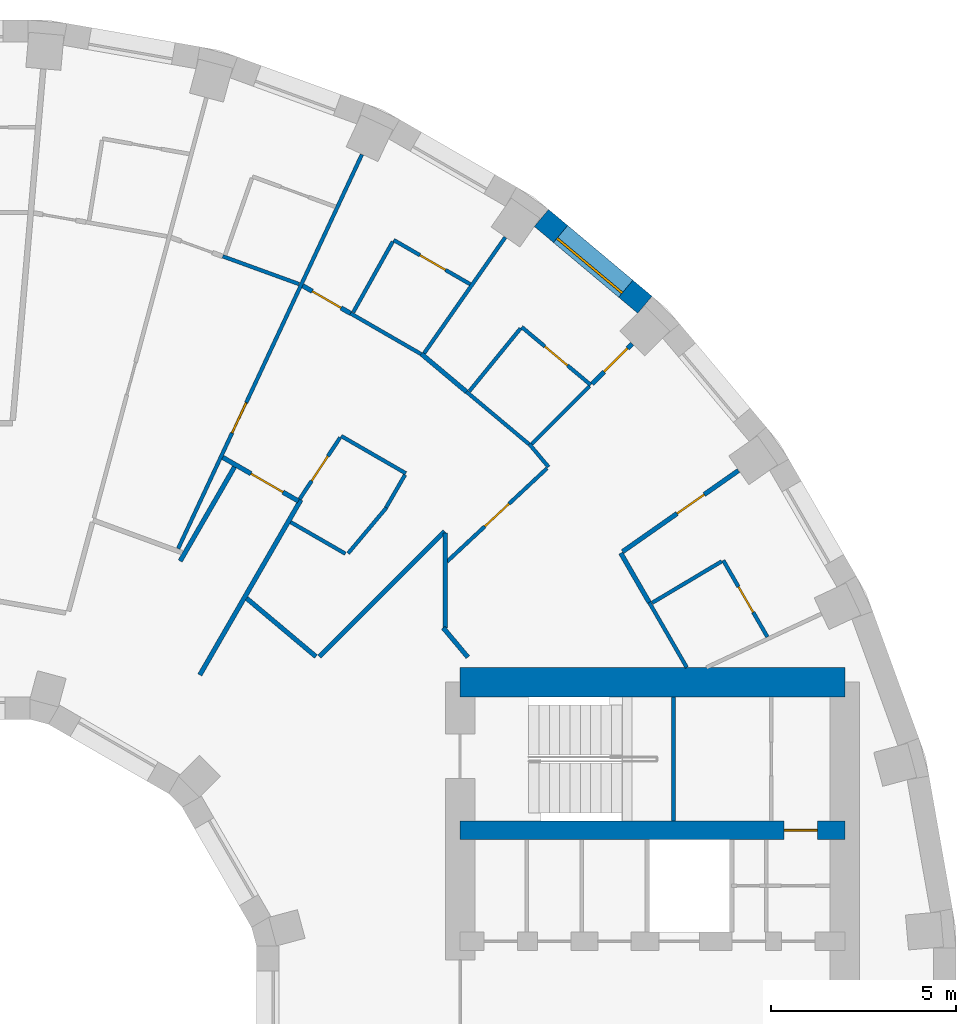
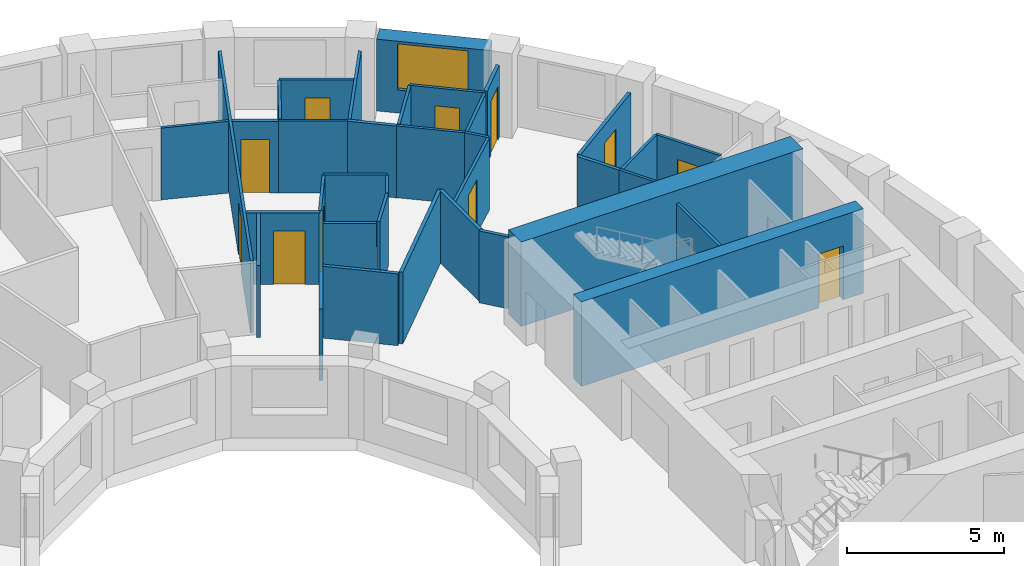
# One storey, part 13 of 16: 36 walls, 11 doors, 1 window, 12 openings.
"""IFC4 building model written with IfcOpenShell, lengths in metres."""

from ifc_helpers import new_model, si_unit, direction, frame, frame_2d, origin, place, context, subcontext, project, spatial, rectangle, extrude, material, layer, layer_set, type_object, element, fill, save


model = new_model("IFC4")

# Units and contexts
model_context = context("Model", 3, precision=1e-05, world=origin(), true_north=direction((0.0, 1.0)))
body_context = subcontext(model_context, "Body", "Model", "MODEL_VIEW")
ifc_project = project(units=[si_unit("LENGTHUNIT", "METRE"), si_unit("AREAUNIT", "SQUARE_METRE"), si_unit("VOLUMEUNIT", "CUBIC_METRE"), si_unit("PLANEANGLEUNIT", "RADIAN"), si_unit("MASSUNIT", "GRAM", prefix="KILO")], contexts=[model_context])

# Site, building, storey
site_placement = place(None, origin())
site = spatial("IfcSite", under=ifc_project, at=site_placement, CompositionType="ELEMENT")
building_placement = place(site_placement, origin())
building = spatial("IfcBuilding", under=site, at=building_placement, Name="Saqina Gate Tower", CompositionType="ELEMENT")
storey_placement = place(building_placement, frame((0.0, 0.0, 128.199951171875)))
storey = spatial("IfcBuildingStorey", under=building, at=storey_placement, Name="L36", CompositionType="ELEMENT", Elevation=128.199951171875)

# Wall, opening, window
ifc_material_1 = material(Name="Brick masonry (buff)", Category="masonry")
ifc_layer_1 = layer(ifc_material_1, 0.60009765625)
ifc_layer_set_1 = layer_set([ifc_layer_1], Name="FW-BRICK-BUFF")
wall_type_1 = type_object("IfcWallType", Name="FW-BRICK-BUFF", PredefinedType="SOLIDWALL", material=ifc_layer_set_1)
wall_1_placement = place(storey_placement, frame((18.49365234375, 19.202392578125, 0.0), z_axis=(0.0, 0.0, 1.0), x_axis=(-0.766055462616, 0.642774476932, 0.0)))
wall_1 = element("IfcWall", 1, at=wall_1_placement, inside=storey, type_object=wall_type_1, Name="Facade wall L36 facet 5", PredefinedType="SOLIDWALL", context=body_context, shape_type="SweptSolid", body=[
    extrude(rectangle(XDim=3.647705078125, YDim=0.60009765625, at=frame_2d((1.82373046875, 0.0))), origin(), (0.0, 0.0, 1.0), 2.800048828125),
])
opening_1_placement = place(wall_1_placement, frame((0.673828125, 0.0, 0.89990234375)))
opening_1 = element("IfcOpeningElement", 2, at=opening_1_placement, cuts=wall_1, Name="Opening G10-W03", PredefinedType="OPENING", context=body_context, shape_type="SweptSolid", body=[
    extrude(rectangle(XDim=2.300048828125, YDim=1.800048828125, at=frame_2d((1.14990234375, 0.89990234375))), frame((0.0, 0.31201171875, 0.0), z_axis=(0.0, -1.0, 0.0), x_axis=(1.0, 0.0, 0.0)), (0.0, 0.0, 1.0), 0.6240234375),
])
ifc_material_2 = material(Name="Aluminium glazing", Category="aluminium")
window_type = type_object("IfcWindowType", Name="WN-B", PartitioningType="SINGLE_PANEL", PredefinedType="WINDOW", material=ifc_material_2)
window_placement = place(opening_1_placement, origin())
window = element("IfcWindow", 3, at=window_placement, inside=storey, type_object=window_type, Name="Window L36 facet 5", OverallHeight=1.800048828125, OverallWidth=2.300048828125, PartitioningType="SINGLE_PANEL", PredefinedType="WINDOW", context=body_context, shape_type="SweptSolid", body=[
    extrude(rectangle(XDim=2.300048828125, YDim=1.800048828125, at=frame_2d((1.14990234375, 0.89990234375))), frame((0.0, 0.179931640625, 0.0), z_axis=(0.0, -1.0, 0.0), x_axis=(1.0, 0.0, 0.0)), (0.0, 0.0, 1.0), 0.06005859375),
])
fill(opening_1, window)

# Wall
ifc_material_3 = material(Name="Gypsum board on steel studs, 100 mm", Category="steel")
ifc_layer_2 = layer(ifc_material_3, 0.10009765625)
ifc_layer_set_2 = layer_set([ifc_layer_2], Name="PARTITION 100")
wall_type_2 = type_object("IfcWallType", Name="PARTITION 100", PredefinedType="PARTITIONING", material=ifc_layer_set_2)
wall_2_placement = place(storey_placement, frame((18.612060546875, 11.1572265625, 0.0), z_axis=(0.0, 0.0, 1.0), x_axis=(0.500111227227, -0.865961177191, 0.0)))
element("IfcWall", 4, at=wall_2_placement, inside=storey, type_object=wall_type_2, Name="PARTITION PW3-15", PredefinedType="PARTITIONING", context=body_context, shape_type="SweptSolid", body=[
    extrude(rectangle(XDim=2.029296875, YDim=0.10009765625, at=frame_2d((1.0146484375, 0.0))), origin(), (0.0, 0.0, 1.0), 2.800048828125),
])

# Wall, opening, door
wall_3_placement = place(storey_placement, frame((20.613037109375, 12.2919921875, 0.0), z_axis=(0.0, 0.0, 1.0), x_axis=(0.499855185972, -0.866108996061, 0.0)))
wall_3 = element("IfcWall", 5, at=wall_3_placement, inside=storey, type_object=wall_type_2, Name="PARTITION PW3-16", PredefinedType="PARTITIONING", context=body_context, shape_type="SweptSolid", body=[
    extrude(rectangle(XDim=2.388427734375, YDim=0.10009765625, at=frame_2d((1.1943359375, 0.0))), origin(), (0.0, 0.0, 1.0), 2.800048828125),
])
opening_2_placement = place(wall_3_placement, frame((0.8193359375, 0.0, 0.0)))
opening_2 = element("IfcOpeningElement", 6, at=opening_2_placement, cuts=wall_3, Name="Opening G10-D01", PredefinedType="OPENING", context=body_context, shape_type="SweptSolid", body=[
    extrude(rectangle(XDim=0.800048828125, YDim=2.10009765625, at=frame_2d((0.39990234375, 1.050048828125))), frame((0.0, 0.06201171875, 0.0), z_axis=(0.0, -1.0, 0.0), x_axis=(1.0, 0.0, 0.0)), (0.0, 0.0, 1.0), 0.1240234375),
])
ifc_material_4 = material(Name="Timber door leaf, 800 mm", Category="wood")
door_type_1 = type_object("IfcDoorType", Name="DOOR 800 TIMBER", OperationType="SINGLE_SWING_LEFT", PredefinedType="DOOR", material=ifc_material_4)
door_1_placement = place(opening_2_placement, origin())
door_1 = element("IfcDoor", 7, at=door_1_placement, inside=storey, type_object=door_type_1, Name="DOOR G10-D01", OperationType="SINGLE_SWING_RIGHT", OverallHeight=2.10009765625, OverallWidth=0.800048828125, PredefinedType="DOOR", context=body_context, shape_type="SweptSolid", body=[
    extrude(rectangle(XDim=0.800048828125, YDim=2.10009765625, at=frame_2d((0.39990234375, 1.050048828125))), frame((0.0, 0.02490234375, 0.0), z_axis=(0.0, -1.0, 0.0), x_axis=(1.0, 0.0, 0.0)), (0.0, 0.0, 1.0), 0.050048828125),
])
fill(opening_2, door_1)

# Walls
wall_4_placement = place(storey_placement, frame((15.368408203125, 15.43994140625, 0.0), z_axis=(0.0, 0.0, 1.0), x_axis=(0.643079214365, -0.765799663131, 0.0)))
element("IfcWall", 8, at=wall_4_placement, inside=storey, type_object=wall_type_2, Name="PARTITION PW3-22", PredefinedType="PARTITIONING", context=body_context, shape_type="SweptSolid", body=[
    extrude(rectangle(XDim=0.811767578125, YDim=0.10009765625, at=frame_2d((0.40576171875, 0.0))), origin(), (0.0, 0.0, 1.0), 2.800048828125),
])
wall_5_placement = place(storey_placement, frame((13.673583984375, 16.85009765625, 0.0), z_axis=(0.0, 0.0, 1.0), x_axis=(0.766138779905, -0.642675166725, 0.0)))
element("IfcWall", 9, at=wall_5_placement, inside=storey, type_object=wall_type_2, Name="PARTITION PW3-29", PredefinedType="PARTITIONING", context=body_context, shape_type="SweptSolid", body=[
    extrude(rectangle(XDim=2.204833984375, YDim=0.10009765625, at=frame_2d((1.1025390625, 0.0))), origin(), (0.0, 0.0, 1.0), 2.800048828125),
])

# Wall, opening, door
wall_6_placement = place(storey_placement, frame((15.1650390625, 18.60107421875, 0.0), z_axis=(0.0, 0.0, 1.0), x_axis=(0.765894146118, -0.642966684161, 0.0)))
wall_6 = element("IfcWall", 10, at=wall_6_placement, inside=storey, type_object=wall_type_2, Name="PARTITION PW3-30", PredefinedType="PARTITIONING", context=body_context, shape_type="SweptSolid", body=[
    extrude(rectangle(XDim=2.43896484375, YDim=0.10009765625, at=frame_2d((1.219482421875, 0.0))), origin(), (0.0, 0.0, 1.0), 2.800048828125),
])
opening_3_placement = place(wall_6_placement, frame((0.8193359375, 0.0, 0.0)))
opening_3 = element("IfcOpeningElement", 11, at=opening_3_placement, cuts=wall_6, Name="Opening G10-D05", PredefinedType="OPENING", context=body_context, shape_type="SweptSolid", body=[
    extrude(rectangle(XDim=0.800048828125, YDim=2.10009765625, at=frame_2d((0.39990234375, 1.050048828125))), frame((0.0, 0.06201171875, 0.0), z_axis=(0.0, -1.0, 0.0), x_axis=(1.0, 0.0, 0.0)), (0.0, 0.0, 1.0), 0.1240234375),
])
door_2_placement = place(opening_3_placement, origin())
door_2 = element("IfcDoor", 12, at=door_2_placement, inside=storey, type_object=door_type_1, Name="DOOR G10-D05", OperationType="SINGLE_SWING_LEFT", OverallHeight=2.10009765625, OverallWidth=0.800048828125, PredefinedType="DOOR", context=body_context, shape_type="SweptSolid", body=[
    extrude(rectangle(XDim=0.800048828125, YDim=2.10009765625, at=frame_2d((0.39990234375, 1.050048828125))), frame((0.0, 0.02490234375, 0.0), z_axis=(0.0, -1.0, 0.0), x_axis=(1.0, 0.0, 0.0)), (0.0, 0.0, 1.0), 0.050048828125),
])
fill(opening_3, door_2)

# Walls
wall_7_placement = place(storey_placement, frame((8.921142578125, 13.32666015625, 0.0), z_axis=(0.0, 0.0, 1.0), x_axis=(0.866168931404, -0.499751320429, 0.0)))
element("IfcWall", 13, at=wall_7_placement, inside=storey, type_object=wall_type_2, Name="PARTITION PW3-35", PredefinedType="PARTITIONING", context=body_context, shape_type="SweptSolid", body=[
    extrude(rectangle(XDim=1.708251953125, YDim=0.10009765625, at=frame_2d((0.85400390625, 0.0))), origin(), (0.0, 0.0, 1.0), 2.800048828125),
])
wall_8_placement = place(storey_placement, frame((10.285888671875, 15.655029296875, 0.0), z_axis=(0.0, 0.0, 1.0), x_axis=(0.865980246016, -0.500078207394, 0.0)))
element("IfcWall", 14, at=wall_8_placement, inside=storey, type_object=wall_type_2, Name="PARTITION PW3-36", PredefinedType="PARTITIONING", context=body_context, shape_type="SweptSolid", body=[
    extrude(rectangle(XDim=2.019775390625, YDim=0.10009765625, at=frame_2d((1.009765625, 0.0))), origin(), (0.0, 0.0, 1.0), 2.800048828125),
])
wall_9_placement = place(storey_placement, frame((10.539794921875, 18.968994140625, 0.0), z_axis=(0.0, 0.0, 1.0), x_axis=(0.866006764117, -0.500032283461, 0.0)))
element("IfcWall", 15, at=wall_9_placement, inside=storey, type_object=wall_type_2, Name="PARTITION PW3-37", PredefinedType="PARTITIONING", context=body_context, shape_type="SweptSolid", body=[
    extrude(rectangle(XDim=2.205322265625, YDim=0.10009765625, at=frame_2d((1.1025390625, 0.0))), origin(), (0.0, 0.0, 1.0), 2.800048828125),
])

# Wall, opening, door
wall_10_placement = place(storey_placement, frame((11.705078125, 20.951904296875, 0.0), z_axis=(0.0, 0.0, 1.0), x_axis=(0.865906392454, -0.500206077039, 0.0)))
wall_10 = element("IfcWall", 16, at=wall_10_placement, inside=storey, type_object=wall_type_2, Name="PARTITION PW3-38", PredefinedType="PARTITIONING", context=body_context, shape_type="SweptSolid", body=[
    extrude(rectangle(XDim=2.388671875, YDim=0.10009765625, at=frame_2d((1.1943359375, 0.0))), origin(), (0.0, 0.0, 1.0), 2.800048828125),
])
opening_4_placement = place(wall_10_placement, frame((0.819580078125, 0.0, 0.0)))
opening_4 = element("IfcOpeningElement", 17, at=opening_4_placement, cuts=wall_10, Name="Opening G10-D07", PredefinedType="OPENING", context=body_context, shape_type="SweptSolid", body=[
    extrude(rectangle(XDim=0.800048828125, YDim=2.10009765625, at=frame_2d((0.39990234375, 1.050048828125))), frame((0.0, 0.06201171875, 0.0), z_axis=(0.0, -1.0, 0.0), x_axis=(1.0, 0.0, 0.0)), (0.0, 0.0, 1.0), 0.1240234375),
])
door_3_placement = place(opening_4_placement, origin())
door_3 = element("IfcDoor", 18, at=door_3_placement, inside=storey, type_object=door_type_1, Name="DOOR G10-D07", OperationType="SINGLE_SWING_RIGHT", OverallHeight=2.10009765625, OverallWidth=0.800048828125, PredefinedType="DOOR", context=body_context, shape_type="SweptSolid", body=[
    extrude(rectangle(XDim=0.800048828125, YDim=2.10009765625, at=frame_2d((0.39990234375, 1.050048828125))), frame((0.0, 0.02490234375, 0.0), z_axis=(0.0, -1.0, 0.0), x_axis=(1.0, 0.0, 0.0)), (0.0, 0.0, 1.0), 0.050048828125),
])
fill(opening_4, door_3)

# Walls
wall_11_placement = place(storey_placement, frame((7.0859375, 20.510498046875, 0.0), z_axis=(0.0, 0.0, 1.0), x_axis=(0.939734879809, -0.341904015289, 0.0)))
element("IfcWall", 19, at=wall_11_placement, inside=storey, type_object=wall_type_2, Name="PARTITION PW3-43", PredefinedType="PARTITIONING", context=body_context, shape_type="SweptSolid", body=[
    extrude(rectangle(XDim=2.192138671875, YDim=0.10009765625, at=frame_2d((1.09619140625, 0.0))), origin(), (0.0, 0.0, 1.0), 2.800048828125),
])
wall_12_placement = place(storey_placement, frame((18.690673828125, 11.14599609375, 0.0), z_axis=(0.0, 0.0, 1.0), x_axis=(0.858956412084, 0.512048710711, 0.0)))
element("IfcWall", 20, at=wall_12_placement, inside=storey, type_object=wall_type_2, Name="PARTITION PW3-75", PredefinedType="PARTITIONING", context=body_context, shape_type="SweptSolid", body=[
    extrude(rectangle(XDim=2.18798828125, YDim=0.10009765625, at=frame_2d((1.093994140625, 0.0))), origin(), (0.0, 0.0, 1.0), 2.800048828125),
])

# Wall, opening, door
wall_13_placement = place(storey_placement, frame((13.145751953125, 12.258544921875, 0.0), z_axis=(0.0, 0.0, 1.0), x_axis=(0.731186864942, 0.682177226633, 0.0)))
wall_13 = element("IfcWall", 21, at=wall_13_placement, inside=storey, type_object=wall_type_2, Name="PARTITION PW3-81", PredefinedType="PARTITIONING", context=body_context, shape_type="SweptSolid", body=[
    extrude(rectangle(XDim=3.701171875, YDim=0.10009765625, at=frame_2d((1.8505859375, 0.0))), origin(), (0.0, 0.0, 1.0), 2.800048828125),
])
opening_5_placement = place(wall_13_placement, frame((1.393798828125, 0.0, 0.0)))
opening_5 = element("IfcOpeningElement", 22, at=opening_5_placement, cuts=wall_13, Name="Opening G10-D03", PredefinedType="OPENING", context=body_context, shape_type="SweptSolid", body=[
    extrude(rectangle(XDim=0.89990234375, YDim=2.10009765625, at=frame_2d((0.449951171875, 1.050048828125))), frame((0.0, 0.06201171875, 0.0), z_axis=(0.0, -1.0, 0.0), x_axis=(1.0, 0.0, 0.0)), (0.0, 0.0, 1.0), 0.1240234375),
])
ifc_material_5 = material(Name="Timber door leaf, 900 mm", Category="wood")
door_type_2 = type_object("IfcDoorType", Name="DOOR 900 TIMBER", OperationType="SINGLE_SWING_LEFT", PredefinedType="DOOR", material=ifc_material_5)
door_4_placement = place(opening_5_placement, frame((0.89990234375, 0.0, 0.0), z_axis=(0.0, 0.0, 1.0), x_axis=(-1.0, 0.0, 0.0)))
door_4 = element("IfcDoor", 23, at=door_4_placement, inside=storey, type_object=door_type_2, Name="DOOR G10-D03", OperationType="SINGLE_SWING_RIGHT", OverallHeight=2.10009765625, OverallWidth=0.89990234375, PredefinedType="DOOR", context=body_context, shape_type="SweptSolid", body=[
    extrude(rectangle(XDim=0.89990234375, YDim=2.10009765625, at=frame_2d((0.449951171875, 1.050048828125))), frame((0.0, 0.02490234375, 0.0), z_axis=(0.0, -1.0, 0.0), x_axis=(1.0, 0.0, 0.0)), (0.0, 0.0, 1.0), 0.050048828125),
])
fill(opening_5, door_4)

# Walls
wall_14_placement = place(storey_placement, frame((15.436279296875, 15.436279296875, 0.0), z_axis=(0.0, 0.0, 1.0), x_axis=(0.707106781187, 0.707106781187, 0.0)))
element("IfcWall", 24, at=wall_14_placement, inside=storey, type_object=wall_type_2, Name="PARTITION PW3-83", PredefinedType="PARTITIONING", context=body_context, shape_type="SweptSolid", body=[
    extrude(rectangle(XDim=2.2080078125, YDim=0.10009765625, at=frame_2d((1.10400390625, 0.0))), origin(), (0.0, 0.0, 1.0), 2.800048828125),
])
wall_15_placement = place(storey_placement, frame((10.47509765625, 12.484375, 0.0), z_axis=(0.0, 0.0, 1.0), x_axis=(0.642782067074, 0.766049093889, 0.0)))
element("IfcWall", 25, at=wall_15_placement, inside=storey, type_object=wall_type_2, Name="PARTITION PW3-86", PredefinedType="PARTITIONING", context=body_context, shape_type="SweptSolid", body=[
    extrude(rectangle(XDim=1.606201171875, YDim=0.10009765625, at=frame_2d((0.80322265625, 0.0))), origin(), (0.0, 0.0, 1.0), 2.800048828125),
])
wall_16_placement = place(storey_placement, frame((13.75146484375, 16.866455078125, 0.0), z_axis=(0.0, 0.0, 1.0), x_axis=(0.631692824826, 0.775218791738, 0.0)))
element("IfcWall", 26, at=wall_16_placement, inside=storey, type_object=wall_type_2, Name="PARTITION PW3-88", PredefinedType="PARTITIONING", context=body_context, shape_type="SweptSolid", body=[
    extrude(rectangle(XDim=2.1875, YDim=0.10009765625, at=frame_2d((1.09375, 0.0))), origin(), (0.0, 0.0, 1.0), 2.800048828125),
])
wall_17_placement = place(storey_placement, frame((12.529541015625, 17.8916015625, 0.0), z_axis=(0.0, 0.0, 1.0), x_axis=(0.573235132975, 0.819390921553, 0.0)))
element("IfcWall", 27, at=wall_17_placement, inside=storey, type_object=wall_type_2, Name="PARTITION PW3-89", PredefinedType="PARTITIONING", context=body_context, shape_type="SweptSolid", body=[
    extrude(rectangle(XDim=3.822509765625, YDim=0.10009765625, at=frame_2d((1.9111328125, 0.0))), origin(), (0.0, 0.0, 1.0), 2.800048828125),
])

# Wall, opening, door
wall_18_placement = place(storey_placement, frame((9.16455078125, 13.94970703125, 0.0), z_axis=(0.0, 0.0, 1.0), x_axis=(0.549454342873, 0.835523742989, 0.0)))
wall_18 = element("IfcWall", 28, at=wall_18_placement, inside=storey, type_object=wall_type_2, Name="PARTITION PW3-91", PredefinedType="PARTITIONING", context=body_context, shape_type="SweptSolid", body=[
    extrude(rectangle(XDim=1.990966796875, YDim=0.10009765625, at=frame_2d((0.99560546875, 0.0))), origin(), (0.0, 0.0, 1.0), 2.800048828125),
])
opening_6_placement = place(wall_18_placement, frame((0.589111328125, 0.0, 0.0)))
opening_6 = element("IfcOpeningElement", 29, at=opening_6_placement, cuts=wall_18, Name="Opening G10-D06", PredefinedType="OPENING", context=body_context, shape_type="SweptSolid", body=[
    extrude(rectangle(XDim=0.800048828125, YDim=2.10009765625, at=frame_2d((0.39990234375, 1.050048828125))), frame((0.0, 0.06201171875, 0.0), z_axis=(0.0, -1.0, 0.0), x_axis=(1.0, 0.0, 0.0)), (0.0, 0.0, 1.0), 0.1240234375),
])
door_5_placement = place(opening_6_placement, origin())
door_5 = element("IfcDoor", 30, at=door_5_placement, inside=storey, type_object=door_type_1, Name="DOOR G10-D06", OperationType="SINGLE_SWING_LEFT", OverallHeight=2.10009765625, OverallWidth=0.800048828125, PredefinedType="DOOR", context=body_context, shape_type="SweptSolid", body=[
    extrude(rectangle(XDim=0.800048828125, YDim=2.10009765625, at=frame_2d((0.39990234375, 1.050048828125))), frame((0.0, 0.02490234375, 0.0), z_axis=(0.0, -1.0, 0.0), x_axis=(1.0, 0.0, 0.0)), (0.0, 0.0, 1.0), 0.050048828125),
])
fill(opening_6, door_5)

# Walls
wall_19_placement = place(storey_placement, frame((11.5, 13.71923828125, 0.0), z_axis=(0.0, 0.0, 1.0), x_axis=(0.500337452138, 0.865830488022, 0.0)))
element("IfcWall", 31, at=wall_19_placement, inside=storey, type_object=wall_type_2, Name="PARTITION PW3-92", PredefinedType="PARTITIONING", context=body_context, shape_type="SweptSolid", body=[
    extrude(rectangle(XDim=1.019287109375, YDim=0.10009765625, at=frame_2d((0.509765625, 0.0))), origin(), (0.0, 0.0, 1.0), 2.800048828125),
])
wall_20_placement = place(storey_placement, frame((10.613525390625, 18.998779296875, 0.0), z_axis=(0.0, 0.0, 1.0), x_axis=(0.487811352464, 0.872949073204, 0.0)))
element("IfcWall", 32, at=wall_20_placement, inside=storey, type_object=wall_type_2, Name="PARTITION PW3-95", PredefinedType="PARTITIONING", context=body_context, shape_type="SweptSolid", body=[
    extrude(rectangle(XDim=2.1875, YDim=0.10009765625, at=frame_2d((1.09375, 0.0))), origin(), (0.0, 0.0, 1.0), 2.800048828125),
])

# Wall, opening, door
wall_21_placement = place(storey_placement, frame((5.880859375, 12.610595703125, 0.0), z_axis=(0.0, 0.0, 1.0), x_axis=(0.422604500324, 0.906314203964, 0.0)))
wall_21 = element("IfcWall", 33, at=wall_21_placement, inside=storey, type_object=wall_type_2, Name="PARTITION PW3-98", PredefinedType="PARTITIONING", context=body_context, shape_type="SweptSolid", body=[
    extrude(rectangle(XDim=11.75048828125, YDim=0.10009765625, at=frame_2d((5.875244140625, 0.0))), origin(), (0.0, 0.0, 1.0), 2.800048828125),
])
opening_7_placement = place(wall_21_placement, frame((3.44970703125, 0.0, 0.0)))
opening_7 = element("IfcOpeningElement", 34, at=opening_7_placement, cuts=wall_21, Name="Opening G10-D10", PredefinedType="OPENING", context=body_context, shape_type="SweptSolid", body=[
    extrude(rectangle(XDim=0.89990234375, YDim=2.10009765625, at=frame_2d((0.449951171875, 1.050048828125))), frame((0.0, 0.06201171875, 0.0), z_axis=(0.0, -1.0, 0.0), x_axis=(1.0, 0.0, 0.0)), (0.0, 0.0, 1.0), 0.1240234375),
])
door_6_placement = place(opening_7_placement, frame((0.89990234375, 0.0, 0.0), z_axis=(0.0, 0.0, 1.0), x_axis=(-1.0, 0.0, 0.0)))
door_6 = element("IfcDoor", 35, at=door_6_placement, inside=storey, type_object=door_type_2, Name="DOOR G10-D10", OperationType="SINGLE_SWING_RIGHT", OverallHeight=2.10009765625, OverallWidth=0.89990234375, PredefinedType="DOOR", context=body_context, shape_type="SweptSolid", body=[
    extrude(rectangle(XDim=0.89990234375, YDim=2.10009765625, at=frame_2d((0.449951171875, 1.050048828125))), frame((0.0, 0.02490234375, 0.0), z_axis=(0.0, -1.0, 0.0), x_axis=(1.0, 0.0, 0.0)), (0.0, 0.0, 1.0), 0.050048828125),
])
fill(opening_7, door_6)

# Walls
ifc_material_6 = material(Name="Gypsum board on steel studs, 125 mm, fire rated", Category="steel")
ifc_layer_3 = layer(ifc_material_6, 0.125)
ifc_layer_set_3 = layer_set([ifc_layer_3], Name="PARTITION EI 30 125")
wall_type_3 = type_object("IfcWallType", Name="PARTITION EI 30 125", PredefinedType="PARTITIONING", material=ifc_layer_set_3)
wall_22_placement = place(storey_placement, frame((17.842041015625, 12.4912109375, 0.0), z_axis=(0.0, 0.0, 1.0), x_axis=(0.499923693419, -0.866069454927, 0.0)))
element("IfcWall", 36, at=wall_22_placement, inside=storey, type_object=wall_type_3, Name="PARTITION PW1-04", PredefinedType="PARTITIONING", context=body_context, shape_type="SweptSolid", body=[
    extrude(rectangle(XDim=1.540283203125, YDim=0.125, at=frame_2d((0.77001953125, 0.0))), origin(), (0.0, 0.0, 1.0), 2.800048828125),
])
wall_23_placement = place(storey_placement, frame((13.045166015625, 10.470458984375, 0.0), z_axis=(0.0, 0.0, 1.0), x_axis=(0.642683640722, -0.766131671417, 0.0)))
element("IfcWall", 37, at=wall_23_placement, inside=storey, type_object=wall_type_3, Name="PARTITION PW1-08", PredefinedType="PARTITIONING", context=body_context, shape_type="SweptSolid", body=[
    extrude(rectangle(XDim=1.036376953125, YDim=0.125, at=frame_2d((0.51806640625, 0.0))), origin(), (0.0, 0.0, 1.0), 2.800048828125),
])
wall_24_placement = place(storey_placement, frame((7.732666015625, 11.2666015625, 0.0), z_axis=(0.0, 0.0, 1.0), x_axis=(0.765785489597, -0.643096092293, 0.0)))
element("IfcWall", 38, at=wall_24_placement, inside=storey, type_object=wall_type_3, Name="PARTITION PW1-12", PredefinedType="PARTITIONING", context=body_context, shape_type="SweptSolid", body=[
    extrude(rectangle(XDim=2.445556640625, YDim=0.125, at=frame_2d((1.22265625, 0.0))), origin(), (0.0, 0.0, 1.0), 2.800048828125),
])
wall_25_placement = place(storey_placement, frame((12.4541015625, 17.87353515625, 0.0), z_axis=(0.0, 0.0, 1.0), x_axis=(0.765991783553, -0.642850361693, 0.0)))
element("IfcWall", 39, at=wall_25_placement, inside=storey, type_object=wall_type_3, Name="PARTITION PW1-13", PredefinedType="PARTITIONING", context=body_context, shape_type="SweptSolid", body=[
    extrude(rectangle(XDim=1.592041015625, YDim=0.125, at=frame_2d((0.7958984375, 0.0))), origin(), (0.0, 0.0, 1.0), 2.800048828125),
])

# Wall, opening, door
wall_26_placement = place(storey_placement, frame((7.0859375, 15.076904296875, 0.0), z_axis=(0.0, 0.0, 1.0), x_axis=(0.866192474201, -0.499710513836, 0.0)))
wall_26 = element("IfcWall", 40, at=wall_26_placement, inside=storey, type_object=wall_type_3, Name="PARTITION PW1-17", PredefinedType="PARTITIONING", context=body_context, shape_type="SweptSolid", body=[
    extrude(rectangle(XDim=2.3603515625, YDim=0.125, at=frame_2d((1.18017578125, 0.0))), origin(), (0.0, 0.0, 1.0), 2.800048828125),
])
opening_8_placement = place(wall_26_placement, frame((0.881103515625, 0.0, 0.0)))
opening_8 = element("IfcOpeningElement", 41, at=opening_8_placement, cuts=wall_26, Name="Opening G10-D08", PredefinedType="OPENING", context=body_context, shape_type="SweptSolid", body=[
    extrude(rectangle(XDim=1.0, YDim=2.10009765625, at=frame_2d((0.5, 1.050048828125))), frame((0.0, 0.074462890625, 0.0), z_axis=(0.0, -1.0, 0.0), x_axis=(1.0, 0.0, 0.0)), (0.0, 0.0, 1.0), 0.14892578125),
])
ifc_material_7 = material(Name="Fire door leaf EI 30, 1000 mm")
door_type_3 = type_object("IfcDoorType", Name="DOOR 1000 EI 30", OperationType="SINGLE_SWING_LEFT", PredefinedType="DOOR", material=ifc_material_7)
door_7_placement = place(opening_8_placement, frame((1.0, 0.0, 0.0), z_axis=(0.0, 0.0, 1.0), x_axis=(-1.0, 0.0, 0.0)))
door_7 = element("IfcDoor", 42, at=door_7_placement, inside=storey, type_object=door_type_3, Name="DOOR G10-D08", OperationType="SINGLE_SWING_LEFT", OverallHeight=2.10009765625, OverallWidth=1.0, PredefinedType="DOOR", context=body_context, shape_type="SweptSolid", body=[
    extrude(rectangle(XDim=1.0, YDim=2.10009765625, at=frame_2d((0.5, 1.050048828125))), frame((0.0, 0.02490234375, 0.0), z_axis=(0.0, -1.0, 0.0), x_axis=(1.0, 0.0, 0.0)), (0.0, 0.0, 1.0), 0.050048828125),
])
fill(opening_8, door_7)

wall_27_placement = place(storey_placement, frame((9.248291015625, 19.715087890625, 0.0), z_axis=(0.0, 0.0, 1.0), x_axis=(0.865896584481, -0.500223055231, 0.0)))
wall_27 = element("IfcWall", 43, at=wall_27_placement, inside=storey, type_object=wall_type_3, Name="PARTITION PW1-18", PredefinedType="PARTITIONING", context=body_context, shape_type="SweptSolid", body=[
    extrude(rectangle(XDim=1.491455078125, YDim=0.125, at=frame_2d((0.74560546875, 0.0))), origin(), (0.0, 0.0, 1.0), 2.800048828125),
])
opening_9_placement = place(wall_27_placement, frame((0.295654296875, 0.0, 0.0)))
opening_9 = element("IfcOpeningElement", 44, at=opening_9_placement, cuts=wall_27, Name="Opening G10-D09", PredefinedType="OPENING", context=body_context, shape_type="SweptSolid", body=[
    extrude(rectangle(XDim=0.89990234375, YDim=2.10009765625, at=frame_2d((0.449951171875, 1.050048828125))), frame((0.0, 0.074462890625, 0.0), z_axis=(0.0, -1.0, 0.0), x_axis=(1.0, 0.0, 0.0)), (0.0, 0.0, 1.0), 0.14892578125),
])
ifc_material_8 = material(Name="Fire door leaf EI 30, 900 mm")
door_type_4 = type_object("IfcDoorType", Name="DOOR 900 EI 30", OperationType="SINGLE_SWING_LEFT", PredefinedType="DOOR", material=ifc_material_8)
door_8_placement = place(opening_9_placement, frame((0.89990234375, 0.0, 0.0), z_axis=(0.0, 0.0, 1.0), x_axis=(-1.0, 0.0, 0.0)))
door_8 = element("IfcDoor", 45, at=door_8_placement, inside=storey, type_object=door_type_4, Name="DOOR G10-D09", OperationType="SINGLE_SWING_RIGHT", OverallHeight=2.10009765625, OverallWidth=0.89990234375, PredefinedType="DOOR", context=body_context, shape_type="SweptSolid", body=[
    extrude(rectangle(XDim=0.89990234375, YDim=2.10009765625, at=frame_2d((0.449951171875, 1.050048828125))), frame((0.0, 0.02490234375, 0.0), z_axis=(0.0, -1.0, 0.0), x_axis=(1.0, 0.0, 0.0)), (0.0, 0.0, 1.0), 0.050048828125),
])
fill(opening_9, door_8)

wall_28_placement = place(storey_placement, frame((17.89208984375, 12.52880859375, 0.0), z_axis=(0.0, 0.0, 1.0), x_axis=(0.819258924995, 0.573423764607, 0.0)))
wall_28 = element("IfcWall", 46, at=wall_28_placement, inside=storey, type_object=wall_type_3, Name="PARTITION PW1-43", PredefinedType="PARTITIONING", context=body_context, shape_type="SweptSolid", body=[
    extrude(rectangle(XDim=3.822509765625, YDim=0.125, at=frame_2d((1.9111328125, 0.0))), origin(), (0.0, 0.0, 1.0), 2.800048828125),
])
opening_10_placement = place(wall_28_placement, frame((1.796142578125, 0.0, 0.0)))
opening_10 = element("IfcOpeningElement", 47, at=opening_10_placement, cuts=wall_28, Name="Opening G10-D02", PredefinedType="OPENING", context=body_context, shape_type="SweptSolid", body=[
    extrude(rectangle(XDim=0.89990234375, YDim=2.10009765625, at=frame_2d((0.449951171875, 1.050048828125))), frame((0.0, 0.074462890625, 0.0), z_axis=(0.0, -1.0, 0.0), x_axis=(1.0, 0.0, 0.0)), (0.0, 0.0, 1.0), 0.14892578125),
])
door_9_placement = place(opening_10_placement, origin())
door_9 = element("IfcDoor", 48, at=door_9_placement, inside=storey, type_object=door_type_4, Name="DOOR G10-D02", OperationType="SINGLE_SWING_RIGHT", OverallHeight=2.10009765625, OverallWidth=0.89990234375, PredefinedType="DOOR", context=body_context, shape_type="SweptSolid", body=[
    extrude(rectangle(XDim=0.89990234375, YDim=2.10009765625, at=frame_2d((0.449951171875, 1.050048828125))), frame((0.0, 0.02490234375, 0.0), z_axis=(0.0, -1.0, 0.0), x_axis=(1.0, 0.0, 0.0)), (0.0, 0.0, 1.0), 0.050048828125),
])
fill(opening_10, door_9)

# Wall
wall_29_placement = place(storey_placement, frame((9.697265625, 9.6953125, 0.0), z_axis=(0.0, 0.0, 1.0), x_axis=(0.707106781187, 0.707106781187, 0.0)))
element("IfcWall", 49, at=wall_29_placement, inside=storey, type_object=wall_type_3, Name="PARTITION PW1-48", PredefinedType="PARTITIONING", context=body_context, shape_type="SweptSolid", body=[
    extrude(rectangle(XDim=4.78369140625, YDim=0.125, at=frame_2d((2.391845703125, 0.0))), origin(), (0.0, 0.0, 1.0), 2.800048828125),
])

# Wall, opening, door
wall_30_placement = place(storey_placement, frame((17.068359375, 17.068359375, 0.0), z_axis=(0.0, 0.0, 1.0), x_axis=(0.707106781187, 0.707106781187, 0.0)))
wall_30 = element("IfcWall", 50, at=wall_30_placement, inside=storey, type_object=wall_type_3, Name="PARTITION PW1-49", PredefinedType="PARTITIONING", context=body_context, shape_type="SweptSolid", body=[
    extrude(rectangle(XDim=1.52685546875, YDim=0.125, at=frame_2d((0.763427734375, 0.0))), origin(), (0.0, 0.0, 1.0), 2.800048828125),
])
opening_11_placement = place(wall_30_placement, frame((0.45458984375, 0.0, 0.0)))
opening_11 = element("IfcOpeningElement", 51, at=opening_11_placement, cuts=wall_30, Name="Opening G10-D04", PredefinedType="OPENING", context=body_context, shape_type="SweptSolid", body=[
    extrude(rectangle(XDim=0.89990234375, YDim=2.10009765625, at=frame_2d((0.449951171875, 1.050048828125))), frame((0.0, 0.074462890625, 0.0), z_axis=(0.0, -1.0, 0.0), x_axis=(1.0, 0.0, 0.0)), (0.0, 0.0, 1.0), 0.14892578125),
])
door_10_placement = place(opening_11_placement, frame((0.89990234375, 0.0, 0.0), z_axis=(0.0, 0.0, 1.0), x_axis=(-1.0, 0.0, 0.0)))
door_10 = element("IfcDoor", 52, at=door_10_placement, inside=storey, type_object=door_type_4, Name="DOOR G10-D04", OperationType="SINGLE_SWING_LEFT", OverallHeight=2.10009765625, OverallWidth=0.89990234375, PredefinedType="DOOR", context=body_context, shape_type="SweptSolid", body=[
    extrude(rectangle(XDim=0.89990234375, YDim=2.10009765625, at=frame_2d((0.449951171875, 1.050048828125))), frame((0.0, 0.02490234375, 0.0), z_axis=(0.0, -1.0, 0.0), x_axis=(1.0, 0.0, 0.0)), (0.0, 0.0, 1.0), 0.050048828125),
])
fill(opening_11, door_10)

# Walls
wall_31_placement = place(storey_placement, frame((6.466552734375, 9.197021484375, 0.0), z_axis=(0.0, 0.0, 1.0), x_axis=(0.499744377638, 0.866172937132, 0.0)))
element("IfcWall", 53, at=wall_31_placement, inside=storey, type_object=wall_type_3, Name="PARTITION PW1-53", PredefinedType="PARTITIONING", context=body_context, shape_type="SweptSolid", body=[
    extrude(rectangle(XDim=5.462646484375, YDim=0.125, at=frame_2d((2.7314453125, 0.0))), origin(), (0.0, 0.0, 1.0), 2.800048828125),
])
wall_32_placement = place(storey_placement, frame((5.935791015625, 12.274658203125, 0.0), z_axis=(0.0, 0.0, 1.0), x_axis=(0.499715257766, 0.866189737388, 0.0)))
element("IfcWall", 54, at=wall_32_placement, inside=storey, type_object=wall_type_3, Name="PARTITION PW1-54", PredefinedType="PARTITIONING", context=body_context, shape_type="SweptSolid", body=[
    extrude(rectangle(XDim=2.937255859375, YDim=0.125, at=frame_2d((1.46875, 0.0))), origin(), (0.0, 0.0, 1.0), 2.800048828125),
])
wall_33_placement = place(storey_placement, frame((13.10009765625, 10.470458984375, 0.0), z_axis=(0.0, 0.0, 1.0), x_axis=(0.0, 1.0, 0.0)))
element("IfcWall", 55, at=wall_33_placement, inside=storey, type_object=wall_type_3, Name="PARTITION PW1-59", PredefinedType="PARTITIONING", context=body_context, shape_type="SweptSolid", body=[
    extrude(rectangle(XDim=2.566162109375, YDim=0.125, at=frame_2d((1.283203125, 0.0))), origin(), (0.0, 0.0, 1.0), 2.800048828125),
])
ifc_material_9 = material(Name="Autoclaved aerated concrete block", Category="concrete")
ifc_layer_4 = layer(ifc_material_9, 0.10009765625)
ifc_layer_set_4 = layer_set([ifc_layer_4], Name="STAIR ENCLOSURE WALL")
wall_type_4 = type_object("IfcWallType", Name="STAIR ENCLOSURE WALL", PredefinedType="PARTITIONING", material=ifc_layer_set_4)
wall_34_placement = place(storey_placement, frame((19.27001953125, 5.25, 0.0), z_axis=(0.0, 0.0, 1.0), x_axis=(0.0, 1.0, 0.0)))
element("IfcWall", 56, at=wall_34_placement, inside=storey, type_object=wall_type_4, Name="L36-CP-E13", PredefinedType="PARTITIONING", context=body_context, shape_type="SweptSolid", body=[
    extrude(rectangle(XDim=3.35009765625, YDim=0.10009765625, at=frame_2d((1.675048828125, 0.0))), origin(), (0.0, 0.0, 1.0), 2.800048828125),
])

# Wall, opening, door
ifc_material_10 = material(Name="Concrete C70/85", Category="concrete")
ifc_layer_5 = layer(ifc_material_10, 0.5)
ifc_layer_set_5 = layer_set([ifc_layer_5], Name="Concrete C70/85")
wall_type_5 = type_object("IfcWallType", Name="STR-CORE WALL-B-I", PredefinedType="SHEAR", material=ifc_layer_set_5)
wall_35_placement = place(storey_placement, frame((13.5, 5.0, 0.0), z_axis=(0.0, 0.0, 1.0), x_axis=(1.0, 0.0, 0.0)))
wall_35 = element("IfcWall", 57, at=wall_35_placement, inside=storey, type_object=wall_type_5, Name="CORE WALL L36 E-X1", PredefinedType="SHEAR", context=body_context, shape_type="SweptSolid", body=[
    extrude(rectangle(XDim=10.39990234375, YDim=0.5, at=frame_2d((5.199951171875, 0.0))), origin(), (0.0, 0.0, 1.0), 3.300048828125),
])
opening_12_placement = place(wall_35_placement, frame((8.755859375, 0.0, 0.0)))
opening_12 = element("IfcOpeningElement", 58, at=opening_12_placement, cuts=wall_35, Name="Opening G10-D101", PredefinedType="OPENING", context=body_context, shape_type="SweptSolid", body=[
    extrude(rectangle(XDim=0.89990234375, YDim=2.10009765625, at=frame_2d((0.449951171875, 1.050048828125))), frame((0.0, 0.261962890625, 0.0), z_axis=(0.0, -1.0, 0.0), x_axis=(1.0, 0.0, 0.0)), (0.0, 0.0, 1.0), 0.52392578125),
])
ifc_material_11 = material(Name="Steel-framed fire door leaf, EI 60", Category="steel")
door_type_5 = type_object("IfcDoorType", Name="SERVICE ROOM DOOR 900", OperationType="SINGLE_SWING_LEFT", PredefinedType="DOOR", material=ifc_material_11)
door_11_placement = place(opening_12_placement, origin())
door_11 = element("IfcDoor", 59, at=door_11_placement, inside=storey, type_object=door_type_5, Name="L36-CD-E12", OperationType="SINGLE_SWING_RIGHT", OverallHeight=2.10009765625, OverallWidth=0.89990234375, PredefinedType="DOOR", context=body_context, shape_type="SweptSolid", body=[
    extrude(rectangle(XDim=0.89990234375, YDim=2.10009765625, at=frame_2d((0.449951171875, 1.050048828125))), frame((0.0, 0.02490234375, 0.0), z_axis=(0.0, -1.0, 0.0), x_axis=(1.0, 0.0, 0.0)), (0.0, 0.0, 1.0), 0.050048828125),
])
fill(opening_12, door_11)

# Wall
ifc_material_12 = material(Name="Concrete C70/85", Category="concrete")
ifc_layer_6 = layer(ifc_material_12, 0.800048828125)
ifc_layer_set_6 = layer_set([ifc_layer_6], Name="Concrete C70/85")
wall_type_6 = type_object("IfcWallType", Name="STR-CORE WALL-B-O", PredefinedType="SHEAR", material=ifc_layer_set_6)
wall_36_placement = place(storey_placement, frame((13.5, 9.0, 0.0), z_axis=(0.0, 0.0, 1.0), x_axis=(1.0, 0.0, 0.0)))
element("IfcWall", 60, at=wall_36_placement, inside=storey, type_object=wall_type_6, Name="CORE WALL L36 E-NE", PredefinedType="SHEAR", context=body_context, shape_type="SweptSolid", body=[
    extrude(rectangle(XDim=10.39990234375, YDim=0.800048828125, at=frame_2d((5.199951171875, 0.0))), origin(), (0.0, 0.0, 1.0), 3.300048828125),
])

save(model, "model.ifc")
